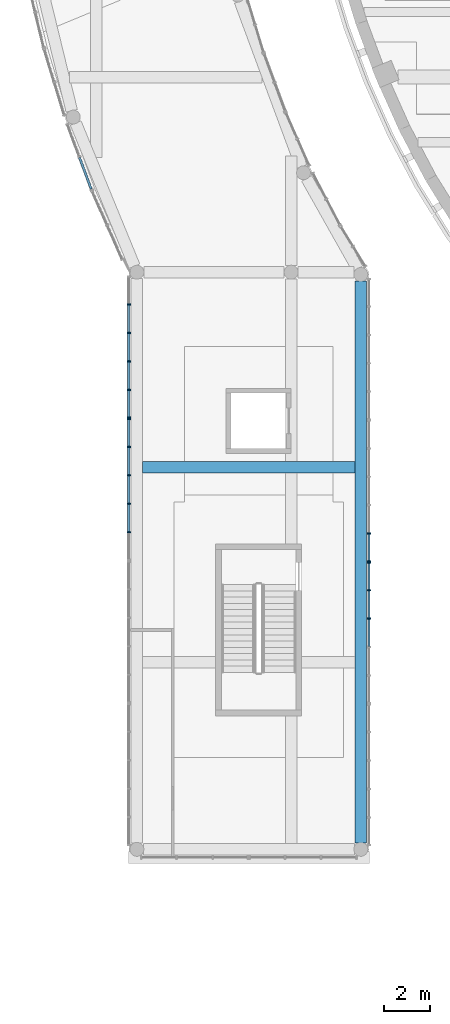
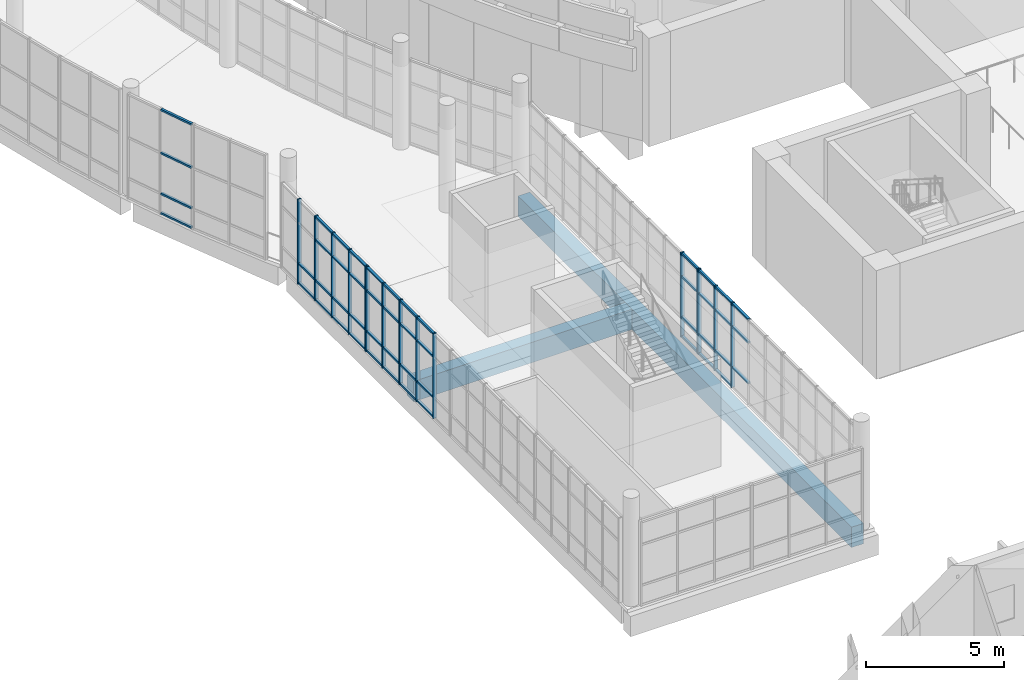
# One storey, part 7 of 119: 64 members, 2 beams, 5 elements without a shape of their own.
"""IFC4 building model written with IfcOpenShell, lengths in metres."""

from ifc_helpers import new_model, si_unit, direction, frame, origin, origin_2d, place, context, subcontext, project, spatial, rectangle, extrude, material, layer, layer_set, material_profile, profile_set, type_object, element, aggregate, save


model = new_model("IFC4")

# Units and contexts
model_context = context("Model", 3, precision=1e-05, world=origin(), true_north=direction((0.0, 1.0)))
body_context = subcontext(model_context, "Body", "Model", "MODEL_VIEW")
ifc_project = project(units=[si_unit("LENGTHUNIT", "METRE"), si_unit("AREAUNIT", "SQUARE_METRE"), si_unit("VOLUMEUNIT", "CUBIC_METRE"), si_unit("PLANEANGLEUNIT", "RADIAN"), si_unit("MASSUNIT", "GRAM", prefix="KILO")], contexts=[model_context])

# Site, building, storey
site_placement = place(None, origin())
site = spatial("IfcSite", under=ifc_project, at=site_placement, CompositionType="ELEMENT")
building_placement = place(site_placement, origin())
building = spatial("IfcBuilding", under=site, at=building_placement, Name="Larchfold Concert Hall", CompositionType="ELEMENT")
storey_placement = place(building_placement, frame((0.0, 0.0, 4.800048828125)))
storey = spatial("IfcBuildingStorey", under=building, at=storey_placement, Name="L01", CompositionType="ELEMENT", Elevation=4.800048828125)

# Curtain wall, members
ifc_material_1 = material(Name="Anodised graphite aluminium curtain wall", Category="aluminium")
ifc_layer = layer(ifc_material_1, 0.14990234375)
ifc_layer_set = layer_set([ifc_layer], Name="Anodised graphite aluminium curtain wall")
curtain_wall_type = type_object("IfcCurtainWallType", Name="Curtain wall WG", PredefinedType="NOTDEFINED", material=ifc_layer_set)
curtain_wall_1_placement = place(storey_placement, origin())
curtain_wall_1 = element("IfcCurtainWall", 1, at=curtain_wall_1_placement, inside=storey, type_object=curtain_wall_type, Name="Curtain wall CW0204", PredefinedType="NOTDEFINED")
ifc_material_2 = material(Name="Anodised graphite aluminium mullion", Category="aluminium")
ifc_material_profile_1 = material_profile(ifc_material_2, rectangle(XDim=0.14990234375, YDim=0.06005859375, at=origin_2d()))
ifc_profile_set_1 = profile_set([ifc_material_profile_1], Name="Anodised graphite aluminium mullion")
member_type_1 = type_object("IfcMemberType", Name="Aluminium mullion 60x150", PredefinedType="MULLION", material=ifc_profile_set_1)
member_1_placement = place(storey_placement, frame((10.408447265625, 58.0146484375, 0.0), z_axis=(0.0, 0.0, 1.0), x_axis=(1.0, 0.0, 0.0)))
member_1 = element("IfcMember", 2, at=member_1_placement, type_object=member_type_1, Name="CW0204 mullion 2", PredefinedType="MULLION", context=body_context, shape_type="SweptSolid", body=[
    extrude(rectangle(XDim=0.14990234375, YDim=0.06005859375, at=origin_2d()), origin(), (0.0, 0.0, 1.0), 3.75),
])
member_2_placement = place(storey_placement, frame((10.408447265625, 56.7880859375, 0.0), z_axis=(0.0, 0.0, 1.0), x_axis=(1.0, 0.0, 0.0)))
member_2 = element("IfcMember", 3, at=member_2_placement, type_object=member_type_1, Name="CW0204 mullion 3", PredefinedType="MULLION", context=body_context, shape_type="SweptSolid", body=[
    extrude(rectangle(XDim=0.14990234375, YDim=0.06005859375, at=origin_2d()), origin(), (0.0, 0.0, 1.0), 3.75),
])
member_3_placement = place(storey_placement, frame((10.408447265625, 55.561279296875, 0.0), z_axis=(0.0, 0.0, 1.0), x_axis=(1.0, 0.0, 0.0)))
member_3 = element("IfcMember", 4, at=member_3_placement, type_object=member_type_1, Name="CW0204 mullion 4", PredefinedType="MULLION", context=body_context, shape_type="SweptSolid", body=[
    extrude(rectangle(XDim=0.14990234375, YDim=0.06005859375, at=origin_2d()), origin(), (0.0, 0.0, 1.0), 3.75),
])
member_4_placement = place(storey_placement, frame((10.408447265625, 54.334716796875, 0.0), z_axis=(0.0, 0.0, 1.0), x_axis=(1.0, 0.0, 0.0)))
member_4 = element("IfcMember", 5, at=member_4_placement, type_object=member_type_1, Name="CW0204 mullion 5", PredefinedType="MULLION", context=body_context, shape_type="SweptSolid", body=[
    extrude(rectangle(XDim=0.14990234375, YDim=0.06005859375, at=origin_2d()), origin(), (0.0, 0.0, 1.0), 3.75),
])
member_5_placement = place(storey_placement, frame((10.408447265625, 53.13818359375, 0.0), z_axis=(0.0, 0.0, 1.0), x_axis=(1.0, 0.0, 0.0)))
member_5 = element("IfcMember", 6, at=member_5_placement, type_object=member_type_1, Name="CW0204 mullion 6", PredefinedType="MULLION", context=body_context, shape_type="SweptSolid", body=[
    extrude(rectangle(XDim=0.14990234375, YDim=0.06005859375, at=origin_2d()), origin(), (0.0, 0.0, 1.0), 3.75),
])

curtain_wall_2_placement = place(storey_placement, origin())
curtain_wall_2 = element("IfcCurtainWall", 7, at=curtain_wall_2_placement, inside=storey, type_object=curtain_wall_type, Name="Curtain wall CW0205", PredefinedType="NOTDEFINED")
member_6_placement = place(storey_placement, frame((10.408447265625, 53.078125, 0.0), z_axis=(0.0, 0.0, 1.0), x_axis=(1.0, 0.0, 0.0)))
member_6 = element("IfcMember", 8, at=member_6_placement, type_object=member_type_1, Name="CW0205 mullion 1", PredefinedType="MULLION", context=body_context, shape_type="SweptSolid", body=[
    extrude(rectangle(XDim=0.14990234375, YDim=0.06005859375, at=origin_2d()), origin(), (0.0, 0.0, 1.0), 3.75),
])
member_7_placement = place(storey_placement, frame((10.408447265625, 51.881591796875, 0.0), z_axis=(0.0, 0.0, 1.0), x_axis=(1.0, 0.0, 0.0)))
member_7 = element("IfcMember", 9, at=member_7_placement, type_object=member_type_1, Name="CW0205 mullion 2", PredefinedType="MULLION", context=body_context, shape_type="SweptSolid", body=[
    extrude(rectangle(XDim=0.14990234375, YDim=0.06005859375, at=origin_2d()), origin(), (0.0, 0.0, 1.0), 3.75),
])
member_8_placement = place(storey_placement, frame((10.408447265625, 50.655029296875, 0.0), z_axis=(0.0, 0.0, 1.0), x_axis=(1.0, 0.0, 0.0)))
member_8 = element("IfcMember", 10, at=member_8_placement, type_object=member_type_1, Name="CW0205 mullion 3", PredefinedType="MULLION", context=body_context, shape_type="SweptSolid", body=[
    extrude(rectangle(XDim=0.14990234375, YDim=0.06005859375, at=origin_2d()), origin(), (0.0, 0.0, 1.0), 3.75),
])
member_9_placement = place(storey_placement, frame((10.408447265625, 49.42822265625, 0.0), z_axis=(0.0, 0.0, 1.0), x_axis=(1.0, 0.0, 0.0)))
member_9 = element("IfcMember", 11, at=member_9_placement, type_object=member_type_1, Name="CW0205 mullion 4", PredefinedType="MULLION", context=body_context, shape_type="SweptSolid", body=[
    extrude(rectangle(XDim=0.14990234375, YDim=0.06005859375, at=origin_2d()), origin(), (0.0, 0.0, 1.0), 3.75),
])
member_10_placement = place(storey_placement, frame((10.408447265625, 48.20166015625, 0.0), z_axis=(0.0, 0.0, 1.0), x_axis=(1.0, 0.0, 0.0)))
member_10 = element("IfcMember", 12, at=member_10_placement, type_object=member_type_1, Name="CW0205 mullion 5", PredefinedType="MULLION", context=body_context, shape_type="SweptSolid", body=[
    extrude(rectangle(XDim=0.14990234375, YDim=0.06005859375, at=origin_2d()), origin(), (0.0, 0.0, 1.0), 3.75),
])

curtain_wall_3_placement = place(storey_placement, origin())
curtain_wall_3 = element("IfcCurtainWall", 13, at=curtain_wall_3_placement, inside=storey, type_object=curtain_wall_type, Name="Curtain wall CW0211", PredefinedType="NOTDEFINED")
member_11_placement = place(storey_placement, frame((20.748779296875, 44.482177734375, 0.0), z_axis=(0.0, 0.0, 1.0), x_axis=(-1.0, 0.0, 0.0)))
member_11 = element("IfcMember", 14, at=member_11_placement, type_object=member_type_1, Name="CW0211 mullion 4", PredefinedType="MULLION", context=body_context, shape_type="SweptSolid", body=[
    extrude(rectangle(XDim=0.14990234375, YDim=0.06005859375, at=origin_2d()), origin(), (0.0, 0.0, 1.0), 3.75),
])
member_12_placement = place(storey_placement, frame((20.748779296875, 45.703857421875, 0.0), z_axis=(0.0, 0.0, 1.0), x_axis=(-1.0, 0.0, 0.0)))
member_12 = element("IfcMember", 15, at=member_12_placement, type_object=member_type_1, Name="CW0211 mullion 5", PredefinedType="MULLION", context=body_context, shape_type="SweptSolid", body=[
    extrude(rectangle(XDim=0.14990234375, YDim=0.06005859375, at=origin_2d()), origin(), (0.0, 0.0, 1.0), 3.75),
])
member_13_placement = place(storey_placement, frame((20.748779296875, 46.8955078125, 0.0), z_axis=(0.0, 0.0, 1.0), x_axis=(-1.0, 0.0, 0.0)))
member_13 = element("IfcMember", 16, at=member_13_placement, type_object=member_type_1, Name="CW0211 mullion 6", PredefinedType="MULLION", context=body_context, shape_type="SweptSolid", body=[
    extrude(rectangle(XDim=0.14990234375, YDim=0.06005859375, at=origin_2d()), origin(), (0.0, 0.0, 1.0), 3.75),
])

curtain_wall_4_placement = place(storey_placement, origin())
curtain_wall_4 = element("IfcCurtainWall", 17, at=curtain_wall_4_placement, inside=storey, type_object=curtain_wall_type, Name="Curtain wall CW0212", PredefinedType="NOTDEFINED")
member_14_placement = place(storey_placement, frame((20.748779296875, 46.95556640625, 0.0), z_axis=(0.0, 0.0, 1.0), x_axis=(-1.0, 0.0, 0.0)))
member_14 = element("IfcMember", 18, at=member_14_placement, type_object=member_type_1, Name="CW0212 mullion 1", PredefinedType="MULLION", context=body_context, shape_type="SweptSolid", body=[
    extrude(rectangle(XDim=0.14990234375, YDim=0.06005859375, at=origin_2d()), origin(), (0.0, 0.0, 1.0), 3.75),
])
member_15_placement = place(storey_placement, frame((20.748779296875, 48.147216796875, 0.0), z_axis=(0.0, 0.0, 1.0), x_axis=(-1.0, 0.0, 0.0)))
member_15 = element("IfcMember", 19, at=member_15_placement, type_object=member_type_1, Name="CW0212 mullion 2", PredefinedType="MULLION", context=body_context, shape_type="SweptSolid", body=[
    extrude(rectangle(XDim=0.14990234375, YDim=0.06005859375, at=origin_2d()), origin(), (0.0, 0.0, 1.0), 3.75),
])

curtain_wall_5_placement = place(storey_placement, origin())
curtain_wall_5 = element("IfcCurtainWall", 20, at=curtain_wall_5_placement, inside=storey, type_object=curtain_wall_type, Name="Curtain wall CW0202", PredefinedType="NOTDEFINED")
ifc_material_3 = material(Name="Anodised graphite aluminium transom", Category="aluminium")
ifc_material_profile_2 = material_profile(ifc_material_3, rectangle(XDim=0.10009765625, YDim=0.080078125, at=origin_2d()))
ifc_profile_set_2 = profile_set([ifc_material_profile_2], Name="Anodised graphite aluminium transom")
member_type_2 = type_object("IfcMemberType", Name="Aluminium transom 80x100", PredefinedType="USERDEFINED", material=ifc_profile_set_2)
member_16_placement = place(storey_placement, frame((8.28857421875, 64.3359375, 0.0400390625), z_axis=(0.346643684981, -0.937996884676, 0.0), x_axis=(0.937996884676, 0.346643684981, 0.0)))
member_16 = element("IfcMember", 21, at=member_16_placement, type_object=member_type_2, Name="CW0202 transom 2.1", ObjectType="TRANSOM", PredefinedType="USERDEFINED", context=body_context, shape_type="SweptSolid", body=[
    extrude(rectangle(XDim=0.10009765625, YDim=0.080078125, at=origin_2d()), origin(), (0.0, 0.0, 1.0), 1.446533203125),
])
member_17_placement = place(storey_placement, frame((8.28857421875, 64.3359375, 0.89990234375), z_axis=(0.346643684981, -0.937996884676, 0.0), x_axis=(0.937996884676, 0.346643684981, 0.0)))
member_17 = element("IfcMember", 22, at=member_17_placement, type_object=member_type_2, Name="CW0202 transom 2.2", ObjectType="TRANSOM", PredefinedType="USERDEFINED", context=body_context, shape_type="SweptSolid", body=[
    extrude(rectangle(XDim=0.10009765625, YDim=0.080078125, at=origin_2d()), origin(), (0.0, 0.0, 1.0), 1.446533203125),
])
member_18_placement = place(storey_placement, frame((8.28857421875, 64.3359375, 2.699951171875), z_axis=(0.346643684981, -0.937996884676, 0.0), x_axis=(0.937996884676, 0.346643684981, 0.0)))
member_18 = element("IfcMember", 23, at=member_18_placement, type_object=member_type_2, Name="CW0202 transom 2.3", ObjectType="TRANSOM", PredefinedType="USERDEFINED", context=body_context, shape_type="SweptSolid", body=[
    extrude(rectangle(XDim=0.10009765625, YDim=0.080078125, at=origin_2d()), origin(), (0.0, 0.0, 1.0), 1.446533203125),
])
member_19_placement = place(storey_placement, frame((8.28857421875, 64.3359375, 4.60986328125), z_axis=(0.346643684981, -0.937996884676, 0.0), x_axis=(0.937996884676, 0.346643684981, 0.0)))
member_19 = element("IfcMember", 24, at=member_19_placement, type_object=member_type_2, Name="CW0202 transom 2.4", ObjectType="TRANSOM", PredefinedType="USERDEFINED", context=body_context, shape_type="SweptSolid", body=[
    extrude(rectangle(XDim=0.10009765625, YDim=0.080078125, at=origin_2d()), origin(), (0.0, 0.0, 1.0), 1.446533203125),
])
aggregate(curtain_wall_5, [member_16, member_17, member_18, member_19])

# Member
member_20_placement = place(storey_placement, frame((10.408447265625, 57.984619140625, 0.0400390625), z_axis=(0.0, -1.0, 0.0), x_axis=(1.0, 0.0, 0.0)))
member_20 = element("IfcMember", 25, at=member_20_placement, type_object=member_type_2, Name="CW0204 transom 2.1", ObjectType="TRANSOM", PredefinedType="USERDEFINED", context=body_context, shape_type="SweptSolid", body=[
    extrude(rectangle(XDim=0.10009765625, YDim=0.080078125, at=origin_2d()), origin(), (0.0, 0.0, 1.0), 1.166748046875),
])

member_21_placement = place(storey_placement, frame((10.408447265625, 57.984619140625, 0.89990234375), z_axis=(0.0, -1.0, 0.0), x_axis=(1.0, 0.0, 0.0)))
member_21 = element("IfcMember", 26, at=member_21_placement, type_object=member_type_2, Name="CW0204 transom 2.2", ObjectType="TRANSOM", PredefinedType="USERDEFINED", context=body_context, shape_type="SweptSolid", body=[
    extrude(rectangle(XDim=0.10009765625, YDim=0.080078125, at=origin_2d()), origin(), (0.0, 0.0, 1.0), 1.166748046875),
])

member_22_placement = place(storey_placement, frame((10.408447265625, 56.758056640625, 0.0400390625), z_axis=(0.0, -1.0, 0.0), x_axis=(1.0, 0.0, 0.0)))
member_22 = element("IfcMember", 27, at=member_22_placement, type_object=member_type_2, Name="CW0204 transom 3.1", ObjectType="TRANSOM", PredefinedType="USERDEFINED", context=body_context, shape_type="SweptSolid", body=[
    extrude(rectangle(XDim=0.10009765625, YDim=0.080078125, at=origin_2d()), origin(), (0.0, 0.0, 1.0), 1.166748046875),
])

member_23_placement = place(storey_placement, frame((10.408447265625, 56.758056640625, 0.89990234375), z_axis=(0.0, -1.0, 0.0), x_axis=(1.0, 0.0, 0.0)))
member_23 = element("IfcMember", 28, at=member_23_placement, type_object=member_type_2, Name="CW0204 transom 3.2", ObjectType="TRANSOM", PredefinedType="USERDEFINED", context=body_context, shape_type="SweptSolid", body=[
    extrude(rectangle(XDim=0.10009765625, YDim=0.080078125, at=origin_2d()), origin(), (0.0, 0.0, 1.0), 1.166748046875),
])

member_24_placement = place(storey_placement, frame((10.408447265625, 56.758056640625, 2.699951171875), z_axis=(0.0, -1.0, 0.0), x_axis=(1.0, 0.0, 0.0)))
member_24 = element("IfcMember", 29, at=member_24_placement, type_object=member_type_2, Name="CW0204 transom 3.3", ObjectType="TRANSOM", PredefinedType="USERDEFINED", context=body_context, shape_type="SweptSolid", body=[
    extrude(rectangle(XDim=0.10009765625, YDim=0.080078125, at=origin_2d()), origin(), (0.0, 0.0, 1.0), 1.166748046875),
])

member_25_placement = place(storey_placement, frame((10.408447265625, 56.758056640625, 3.7099609375), z_axis=(0.0, -1.0, 0.0), x_axis=(1.0, 0.0, 0.0)))
member_25 = element("IfcMember", 30, at=member_25_placement, type_object=member_type_2, Name="CW0204 transom 3.4", ObjectType="TRANSOM", PredefinedType="USERDEFINED", context=body_context, shape_type="SweptSolid", body=[
    extrude(rectangle(XDim=0.10009765625, YDim=0.080078125, at=origin_2d()), origin(), (0.0, 0.0, 1.0), 1.166748046875),
])

member_26_placement = place(storey_placement, frame((10.408447265625, 55.531494140625, 0.0400390625), z_axis=(0.0, -1.0, 0.0), x_axis=(1.0, 0.0, 0.0)))
member_26 = element("IfcMember", 31, at=member_26_placement, type_object=member_type_2, Name="CW0204 transom 4.1", ObjectType="TRANSOM", PredefinedType="USERDEFINED", context=body_context, shape_type="SweptSolid", body=[
    extrude(rectangle(XDim=0.10009765625, YDim=0.080078125, at=origin_2d()), origin(), (0.0, 0.0, 1.0), 1.166748046875),
])

member_27_placement = place(storey_placement, frame((10.408447265625, 55.531494140625, 0.89990234375), z_axis=(0.0, -1.0, 0.0), x_axis=(1.0, 0.0, 0.0)))
member_27 = element("IfcMember", 32, at=member_27_placement, type_object=member_type_2, Name="CW0204 transom 4.2", ObjectType="TRANSOM", PredefinedType="USERDEFINED", context=body_context, shape_type="SweptSolid", body=[
    extrude(rectangle(XDim=0.10009765625, YDim=0.080078125, at=origin_2d()), origin(), (0.0, 0.0, 1.0), 1.166748046875),
])

member_28_placement = place(storey_placement, frame((10.408447265625, 55.531494140625, 2.699951171875), z_axis=(0.0, -1.0, 0.0), x_axis=(1.0, 0.0, 0.0)))
member_28 = element("IfcMember", 33, at=member_28_placement, type_object=member_type_2, Name="CW0204 transom 4.3", ObjectType="TRANSOM", PredefinedType="USERDEFINED", context=body_context, shape_type="SweptSolid", body=[
    extrude(rectangle(XDim=0.10009765625, YDim=0.080078125, at=origin_2d()), origin(), (0.0, 0.0, 1.0), 1.166748046875),
])

member_29_placement = place(storey_placement, frame((10.408447265625, 55.531494140625, 3.7099609375), z_axis=(0.0, -1.0, 0.0), x_axis=(1.0, 0.0, 0.0)))
member_29 = element("IfcMember", 34, at=member_29_placement, type_object=member_type_2, Name="CW0204 transom 4.4", ObjectType="TRANSOM", PredefinedType="USERDEFINED", context=body_context, shape_type="SweptSolid", body=[
    extrude(rectangle(XDim=0.10009765625, YDim=0.080078125, at=origin_2d()), origin(), (0.0, 0.0, 1.0), 1.166748046875),
])

member_30_placement = place(storey_placement, frame((10.408447265625, 54.3046875, 0.0400390625), z_axis=(0.0, -1.0, 0.0), x_axis=(1.0, 0.0, 0.0)))
member_30 = element("IfcMember", 35, at=member_30_placement, type_object=member_type_2, Name="CW0204 transom 5.1", ObjectType="TRANSOM", PredefinedType="USERDEFINED", context=body_context, shape_type="SweptSolid", body=[
    extrude(rectangle(XDim=0.10009765625, YDim=0.080078125, at=origin_2d()), origin(), (0.0, 0.0, 1.0), 1.136474609375),
])

member_31_placement = place(storey_placement, frame((10.408447265625, 54.3046875, 0.89990234375), z_axis=(0.0, -1.0, 0.0), x_axis=(1.0, 0.0, 0.0)))
member_31 = element("IfcMember", 36, at=member_31_placement, type_object=member_type_2, Name="CW0204 transom 5.2", ObjectType="TRANSOM", PredefinedType="USERDEFINED", context=body_context, shape_type="SweptSolid", body=[
    extrude(rectangle(XDim=0.10009765625, YDim=0.080078125, at=origin_2d()), origin(), (0.0, 0.0, 1.0), 1.136474609375),
])

member_32_placement = place(storey_placement, frame((10.408447265625, 54.3046875, 2.699951171875), z_axis=(0.0, -1.0, 0.0), x_axis=(1.0, 0.0, 0.0)))
member_32 = element("IfcMember", 37, at=member_32_placement, type_object=member_type_2, Name="CW0204 transom 5.3", ObjectType="TRANSOM", PredefinedType="USERDEFINED", context=body_context, shape_type="SweptSolid", body=[
    extrude(rectangle(XDim=0.10009765625, YDim=0.080078125, at=origin_2d()), origin(), (0.0, 0.0, 1.0), 1.136474609375),
])

member_33_placement = place(storey_placement, frame((10.408447265625, 54.3046875, 3.7099609375), z_axis=(0.0, -1.0, 0.0), x_axis=(1.0, 0.0, 0.0)))
member_33 = element("IfcMember", 38, at=member_33_placement, type_object=member_type_2, Name="CW0204 transom 5.4", ObjectType="TRANSOM", PredefinedType="USERDEFINED", context=body_context, shape_type="SweptSolid", body=[
    extrude(rectangle(XDim=0.10009765625, YDim=0.080078125, at=origin_2d()), origin(), (0.0, 0.0, 1.0), 1.136474609375),
])

aggregate(curtain_wall_1, [member_1, member_2, member_3, member_4, member_5, member_20, member_21, member_22, member_23, member_24, member_25, member_26, member_27, member_28, member_29, member_30, member_31, member_32, member_33])

member_34_placement = place(storey_placement, frame((10.408447265625, 53.048095703125, 0.0400390625), z_axis=(0.0, -1.0, 0.0), x_axis=(1.0, 0.0, 0.0)))
member_34 = element("IfcMember", 39, at=member_34_placement, type_object=member_type_2, Name="CW0205 transom 1.1", ObjectType="TRANSOM", PredefinedType="USERDEFINED", context=body_context, shape_type="SweptSolid", body=[
    extrude(rectangle(XDim=0.10009765625, YDim=0.080078125, at=origin_2d()), origin(), (0.0, 0.0, 1.0), 1.136474609375),
])

member_35_placement = place(storey_placement, frame((10.408447265625, 53.048095703125, 0.89990234375), z_axis=(0.0, -1.0, 0.0), x_axis=(1.0, 0.0, 0.0)))
member_35 = element("IfcMember", 40, at=member_35_placement, type_object=member_type_2, Name="CW0205 transom 1.2", ObjectType="TRANSOM", PredefinedType="USERDEFINED", context=body_context, shape_type="SweptSolid", body=[
    extrude(rectangle(XDim=0.10009765625, YDim=0.080078125, at=origin_2d()), origin(), (0.0, 0.0, 1.0), 1.136474609375),
])

member_36_placement = place(storey_placement, frame((10.408447265625, 53.048095703125, 2.699951171875), z_axis=(0.0, -1.0, 0.0), x_axis=(1.0, 0.0, 0.0)))
member_36 = element("IfcMember", 41, at=member_36_placement, type_object=member_type_2, Name="CW0205 transom 1.3", ObjectType="TRANSOM", PredefinedType="USERDEFINED", context=body_context, shape_type="SweptSolid", body=[
    extrude(rectangle(XDim=0.10009765625, YDim=0.080078125, at=origin_2d()), origin(), (0.0, 0.0, 1.0), 1.136474609375),
])

member_37_placement = place(storey_placement, frame((10.408447265625, 53.048095703125, 3.7099609375), z_axis=(0.0, -1.0, 0.0), x_axis=(1.0, 0.0, 0.0)))
member_37 = element("IfcMember", 42, at=member_37_placement, type_object=member_type_2, Name="CW0205 transom 1.4", ObjectType="TRANSOM", PredefinedType="USERDEFINED", context=body_context, shape_type="SweptSolid", body=[
    extrude(rectangle(XDim=0.10009765625, YDim=0.080078125, at=origin_2d()), origin(), (0.0, 0.0, 1.0), 1.136474609375),
])

member_38_placement = place(storey_placement, frame((10.408447265625, 51.8515625, 0.0400390625), z_axis=(0.0, -1.0, 0.0), x_axis=(1.0, 0.0, 0.0)))
member_38 = element("IfcMember", 43, at=member_38_placement, type_object=member_type_2, Name="CW0205 transom 2.1", ObjectType="TRANSOM", PredefinedType="USERDEFINED", context=body_context, shape_type="SweptSolid", body=[
    extrude(rectangle(XDim=0.10009765625, YDim=0.080078125, at=origin_2d()), origin(), (0.0, 0.0, 1.0), 1.166748046875),
])

member_39_placement = place(storey_placement, frame((10.408447265625, 51.8515625, 0.89990234375), z_axis=(0.0, -1.0, 0.0), x_axis=(1.0, 0.0, 0.0)))
member_39 = element("IfcMember", 44, at=member_39_placement, type_object=member_type_2, Name="CW0205 transom 2.2", ObjectType="TRANSOM", PredefinedType="USERDEFINED", context=body_context, shape_type="SweptSolid", body=[
    extrude(rectangle(XDim=0.10009765625, YDim=0.080078125, at=origin_2d()), origin(), (0.0, 0.0, 1.0), 1.166748046875),
])

member_40_placement = place(storey_placement, frame((10.408447265625, 51.8515625, 2.699951171875), z_axis=(0.0, -1.0, 0.0), x_axis=(1.0, 0.0, 0.0)))
member_40 = element("IfcMember", 45, at=member_40_placement, type_object=member_type_2, Name="CW0205 transom 2.3", ObjectType="TRANSOM", PredefinedType="USERDEFINED", context=body_context, shape_type="SweptSolid", body=[
    extrude(rectangle(XDim=0.10009765625, YDim=0.080078125, at=origin_2d()), origin(), (0.0, 0.0, 1.0), 1.166748046875),
])

member_41_placement = place(storey_placement, frame((10.408447265625, 51.8515625, 3.7099609375), z_axis=(0.0, -1.0, 0.0), x_axis=(1.0, 0.0, 0.0)))
member_41 = element("IfcMember", 46, at=member_41_placement, type_object=member_type_2, Name="CW0205 transom 2.4", ObjectType="TRANSOM", PredefinedType="USERDEFINED", context=body_context, shape_type="SweptSolid", body=[
    extrude(rectangle(XDim=0.10009765625, YDim=0.080078125, at=origin_2d()), origin(), (0.0, 0.0, 1.0), 1.166748046875),
])

member_42_placement = place(storey_placement, frame((10.408447265625, 50.625, 0.0400390625), z_axis=(0.0, -1.0, 0.0), x_axis=(1.0, 0.0, 0.0)))
member_42 = element("IfcMember", 47, at=member_42_placement, type_object=member_type_2, Name="CW0205 transom 3.1", ObjectType="TRANSOM", PredefinedType="USERDEFINED", context=body_context, shape_type="SweptSolid", body=[
    extrude(rectangle(XDim=0.10009765625, YDim=0.080078125, at=origin_2d()), origin(), (0.0, 0.0, 1.0), 1.166748046875),
])

member_43_placement = place(storey_placement, frame((10.408447265625, 50.625, 0.89990234375), z_axis=(0.0, -1.0, 0.0), x_axis=(1.0, 0.0, 0.0)))
member_43 = element("IfcMember", 48, at=member_43_placement, type_object=member_type_2, Name="CW0205 transom 3.2", ObjectType="TRANSOM", PredefinedType="USERDEFINED", context=body_context, shape_type="SweptSolid", body=[
    extrude(rectangle(XDim=0.10009765625, YDim=0.080078125, at=origin_2d()), origin(), (0.0, 0.0, 1.0), 1.166748046875),
])

member_44_placement = place(storey_placement, frame((10.408447265625, 50.625, 2.699951171875), z_axis=(0.0, -1.0, 0.0), x_axis=(1.0, 0.0, 0.0)))
member_44 = element("IfcMember", 49, at=member_44_placement, type_object=member_type_2, Name="CW0205 transom 3.3", ObjectType="TRANSOM", PredefinedType="USERDEFINED", context=body_context, shape_type="SweptSolid", body=[
    extrude(rectangle(XDim=0.10009765625, YDim=0.080078125, at=origin_2d()), origin(), (0.0, 0.0, 1.0), 1.166748046875),
])

member_45_placement = place(storey_placement, frame((10.408447265625, 50.625, 3.7099609375), z_axis=(0.0, -1.0, 0.0), x_axis=(1.0, 0.0, 0.0)))
member_45 = element("IfcMember", 50, at=member_45_placement, type_object=member_type_2, Name="CW0205 transom 3.4", ObjectType="TRANSOM", PredefinedType="USERDEFINED", context=body_context, shape_type="SweptSolid", body=[
    extrude(rectangle(XDim=0.10009765625, YDim=0.080078125, at=origin_2d()), origin(), (0.0, 0.0, 1.0), 1.166748046875),
])

member_46_placement = place(storey_placement, frame((10.408447265625, 49.3984375, 0.0400390625), z_axis=(0.0, -1.0, 0.0), x_axis=(1.0, 0.0, 0.0)))
member_46 = element("IfcMember", 51, at=member_46_placement, type_object=member_type_2, Name="CW0205 transom 4.1", ObjectType="TRANSOM", PredefinedType="USERDEFINED", context=body_context, shape_type="SweptSolid", body=[
    extrude(rectangle(XDim=0.10009765625, YDim=0.080078125, at=origin_2d()), origin(), (0.0, 0.0, 1.0), 1.166748046875),
])

member_47_placement = place(storey_placement, frame((10.408447265625, 49.3984375, 0.89990234375), z_axis=(0.0, -1.0, 0.0), x_axis=(1.0, 0.0, 0.0)))
member_47 = element("IfcMember", 52, at=member_47_placement, type_object=member_type_2, Name="CW0205 transom 4.2", ObjectType="TRANSOM", PredefinedType="USERDEFINED", context=body_context, shape_type="SweptSolid", body=[
    extrude(rectangle(XDim=0.10009765625, YDim=0.080078125, at=origin_2d()), origin(), (0.0, 0.0, 1.0), 1.166748046875),
])

member_48_placement = place(storey_placement, frame((10.408447265625, 49.3984375, 2.699951171875), z_axis=(0.0, -1.0, 0.0), x_axis=(1.0, 0.0, 0.0)))
member_48 = element("IfcMember", 53, at=member_48_placement, type_object=member_type_2, Name="CW0205 transom 4.3", ObjectType="TRANSOM", PredefinedType="USERDEFINED", context=body_context, shape_type="SweptSolid", body=[
    extrude(rectangle(XDim=0.10009765625, YDim=0.080078125, at=origin_2d()), origin(), (0.0, 0.0, 1.0), 1.166748046875),
])

member_49_placement = place(storey_placement, frame((10.408447265625, 49.3984375, 3.7099609375), z_axis=(0.0, -1.0, 0.0), x_axis=(1.0, 0.0, 0.0)))
member_49 = element("IfcMember", 54, at=member_49_placement, type_object=member_type_2, Name="CW0205 transom 4.4", ObjectType="TRANSOM", PredefinedType="USERDEFINED", context=body_context, shape_type="SweptSolid", body=[
    extrude(rectangle(XDim=0.10009765625, YDim=0.080078125, at=origin_2d()), origin(), (0.0, 0.0, 1.0), 1.166748046875),
])

aggregate(curtain_wall_2, [member_6, member_7, member_8, member_9, member_10, member_34, member_35, member_36, member_37, member_38, member_39, member_40, member_41, member_42, member_43, member_44, member_45, member_46, member_47, member_48, member_49])

member_50_placement = place(storey_placement, frame((20.748779296875, 43.290283203125, 0.89990234375), z_axis=(0.0, 1.0, 0.0), x_axis=(-1.0, 0.0, 0.0)))
member_50 = element("IfcMember", 55, at=member_50_placement, type_object=member_type_2, Name="CW0211 transom 3.2", ObjectType="TRANSOM", PredefinedType="USERDEFINED", context=body_context, shape_type="SweptSolid", body=[
    extrude(rectangle(XDim=0.10009765625, YDim=0.080078125, at=origin_2d()), origin(), (0.0, 0.0, 1.0), 1.161865234375),
])

member_51_placement = place(storey_placement, frame((20.748779296875, 43.290283203125, 2.699951171875), z_axis=(0.0, 1.0, 0.0), x_axis=(-1.0, 0.0, 0.0)))
member_51 = element("IfcMember", 56, at=member_51_placement, type_object=member_type_2, Name="CW0211 transom 3.3", ObjectType="TRANSOM", PredefinedType="USERDEFINED", context=body_context, shape_type="SweptSolid", body=[
    extrude(rectangle(XDim=0.10009765625, YDim=0.080078125, at=origin_2d()), origin(), (0.0, 0.0, 1.0), 1.161865234375),
])

member_52_placement = place(storey_placement, frame((20.748779296875, 43.290283203125, 3.7099609375), z_axis=(0.0, 1.0, 0.0), x_axis=(-1.0, 0.0, 0.0)))
member_52 = element("IfcMember", 57, at=member_52_placement, type_object=member_type_2, Name="CW0211 transom 3.4", ObjectType="TRANSOM", PredefinedType="USERDEFINED", context=body_context, shape_type="SweptSolid", body=[
    extrude(rectangle(XDim=0.10009765625, YDim=0.080078125, at=origin_2d()), origin(), (0.0, 0.0, 1.0), 1.161865234375),
])

member_53_placement = place(storey_placement, frame((20.748779296875, 44.511962890625, 0.0400390625), z_axis=(0.0, 1.0, 0.0), x_axis=(-1.0, 0.0, 0.0)))
member_53 = element("IfcMember", 58, at=member_53_placement, type_object=member_type_2, Name="CW0211 transom 4.1", ObjectType="TRANSOM", PredefinedType="USERDEFINED", context=body_context, shape_type="SweptSolid", body=[
    extrude(rectangle(XDim=0.10009765625, YDim=0.080078125, at=origin_2d()), origin(), (0.0, 0.0, 1.0), 1.161865234375),
])

member_54_placement = place(storey_placement, frame((20.748779296875, 44.511962890625, 0.89990234375), z_axis=(0.0, 1.0, 0.0), x_axis=(-1.0, 0.0, 0.0)))
member_54 = element("IfcMember", 59, at=member_54_placement, type_object=member_type_2, Name="CW0211 transom 4.2", ObjectType="TRANSOM", PredefinedType="USERDEFINED", context=body_context, shape_type="SweptSolid", body=[
    extrude(rectangle(XDim=0.10009765625, YDim=0.080078125, at=origin_2d()), origin(), (0.0, 0.0, 1.0), 1.161865234375),
])

member_55_placement = place(storey_placement, frame((20.748779296875, 44.511962890625, 2.699951171875), z_axis=(0.0, 1.0, 0.0), x_axis=(-1.0, 0.0, 0.0)))
member_55 = element("IfcMember", 60, at=member_55_placement, type_object=member_type_2, Name="CW0211 transom 4.3", ObjectType="TRANSOM", PredefinedType="USERDEFINED", context=body_context, shape_type="SweptSolid", body=[
    extrude(rectangle(XDim=0.10009765625, YDim=0.080078125, at=origin_2d()), origin(), (0.0, 0.0, 1.0), 1.161865234375),
])

member_56_placement = place(storey_placement, frame((20.748779296875, 44.511962890625, 3.7099609375), z_axis=(0.0, 1.0, 0.0), x_axis=(-1.0, 0.0, 0.0)))
member_56 = element("IfcMember", 61, at=member_56_placement, type_object=member_type_2, Name="CW0211 transom 4.4", ObjectType="TRANSOM", PredefinedType="USERDEFINED", context=body_context, shape_type="SweptSolid", body=[
    extrude(rectangle(XDim=0.10009765625, YDim=0.080078125, at=origin_2d()), origin(), (0.0, 0.0, 1.0), 1.161865234375),
])

member_57_placement = place(storey_placement, frame((20.748779296875, 45.73388671875, 0.0400390625), z_axis=(0.0, 1.0, 0.0), x_axis=(-1.0, 0.0, 0.0)))
member_57 = element("IfcMember", 62, at=member_57_placement, type_object=member_type_2, Name="CW0211 transom 5.1", ObjectType="TRANSOM", PredefinedType="USERDEFINED", context=body_context, shape_type="SweptSolid", body=[
    extrude(rectangle(XDim=0.10009765625, YDim=0.080078125, at=origin_2d()), origin(), (0.0, 0.0, 1.0), 1.131591796875),
])

member_58_placement = place(storey_placement, frame((20.748779296875, 45.73388671875, 0.89990234375), z_axis=(0.0, 1.0, 0.0), x_axis=(-1.0, 0.0, 0.0)))
member_58 = element("IfcMember", 63, at=member_58_placement, type_object=member_type_2, Name="CW0211 transom 5.2", ObjectType="TRANSOM", PredefinedType="USERDEFINED", context=body_context, shape_type="SweptSolid", body=[
    extrude(rectangle(XDim=0.10009765625, YDim=0.080078125, at=origin_2d()), origin(), (0.0, 0.0, 1.0), 1.131591796875),
])

member_59_placement = place(storey_placement, frame((20.748779296875, 45.73388671875, 2.699951171875), z_axis=(0.0, 1.0, 0.0), x_axis=(-1.0, 0.0, 0.0)))
member_59 = element("IfcMember", 64, at=member_59_placement, type_object=member_type_2, Name="CW0211 transom 5.3", ObjectType="TRANSOM", PredefinedType="USERDEFINED", context=body_context, shape_type="SweptSolid", body=[
    extrude(rectangle(XDim=0.10009765625, YDim=0.080078125, at=origin_2d()), origin(), (0.0, 0.0, 1.0), 1.131591796875),
])

member_60_placement = place(storey_placement, frame((20.748779296875, 45.73388671875, 3.7099609375), z_axis=(0.0, 1.0, 0.0), x_axis=(-1.0, 0.0, 0.0)))
member_60 = element("IfcMember", 65, at=member_60_placement, type_object=member_type_2, Name="CW0211 transom 5.4", ObjectType="TRANSOM", PredefinedType="USERDEFINED", context=body_context, shape_type="SweptSolid", body=[
    extrude(rectangle(XDim=0.10009765625, YDim=0.080078125, at=origin_2d()), origin(), (0.0, 0.0, 1.0), 1.131591796875),
])

aggregate(curtain_wall_3, [member_11, member_12, member_13, member_50, member_51, member_52, member_53, member_54, member_55, member_56, member_57, member_58, member_59, member_60])

member_61_placement = place(storey_placement, frame((20.748779296875, 46.985595703125, 0.0400390625), z_axis=(0.0, 1.0, 0.0), x_axis=(-1.0, 0.0, 0.0)))
member_61 = element("IfcMember", 66, at=member_61_placement, type_object=member_type_2, Name="CW0212 transom 1.1", ObjectType="TRANSOM", PredefinedType="USERDEFINED", context=body_context, shape_type="SweptSolid", body=[
    extrude(rectangle(XDim=0.10009765625, YDim=0.080078125, at=origin_2d()), origin(), (0.0, 0.0, 1.0), 1.131591796875),
])

member_62_placement = place(storey_placement, frame((20.748779296875, 46.985595703125, 0.89990234375), z_axis=(0.0, 1.0, 0.0), x_axis=(-1.0, 0.0, 0.0)))
member_62 = element("IfcMember", 67, at=member_62_placement, type_object=member_type_2, Name="CW0212 transom 1.2", ObjectType="TRANSOM", PredefinedType="USERDEFINED", context=body_context, shape_type="SweptSolid", body=[
    extrude(rectangle(XDim=0.10009765625, YDim=0.080078125, at=origin_2d()), origin(), (0.0, 0.0, 1.0), 1.131591796875),
])

member_63_placement = place(storey_placement, frame((20.748779296875, 46.985595703125, 2.699951171875), z_axis=(0.0, 1.0, 0.0), x_axis=(-1.0, 0.0, 0.0)))
member_63 = element("IfcMember", 68, at=member_63_placement, type_object=member_type_2, Name="CW0212 transom 1.3", ObjectType="TRANSOM", PredefinedType="USERDEFINED", context=body_context, shape_type="SweptSolid", body=[
    extrude(rectangle(XDim=0.10009765625, YDim=0.080078125, at=origin_2d()), origin(), (0.0, 0.0, 1.0), 1.131591796875),
])

member_64_placement = place(storey_placement, frame((20.748779296875, 46.985595703125, 3.7099609375), z_axis=(0.0, 1.0, 0.0), x_axis=(-1.0, 0.0, 0.0)))
member_64 = element("IfcMember", 69, at=member_64_placement, type_object=member_type_2, Name="CW0212 transom 1.4", ObjectType="TRANSOM", PredefinedType="USERDEFINED", context=body_context, shape_type="SweptSolid", body=[
    extrude(rectangle(XDim=0.10009765625, YDim=0.080078125, at=origin_2d()), origin(), (0.0, 0.0, 1.0), 1.131591796875),
])

aggregate(curtain_wall_4, [member_14, member_15, member_61, member_62, member_63, member_64])

# Beams
ifc_material_4 = material(Name="Concrete C35/45", Category="concrete")
ifc_material_profile_3 = material_profile(ifc_material_4, rectangle(XDim=0.5, YDim=0.89990234375, at=origin_2d()))
ifc_profile_set_3 = profile_set([ifc_material_profile_3], Name="Concrete C35/45")
beam_type = type_object("IfcBeamType", Name="Beam RC 500x900", PredefinedType="BEAM", material=ifc_profile_set_3)
beam_1_placement = place(storey_placement, frame((20.39892578125, 59.02099609375, -0.60009765625), z_axis=(0.0, -1.0, 0.0), x_axis=(1.0, 0.0, 0.0)))
element("IfcBeam", 70, at=beam_1_placement, inside=storey, type_object=beam_type, Name="Beam B1866", PredefinedType="BEAM", context=body_context, shape_type="SweptSolid", body=[
    extrude(rectangle(XDim=0.5, YDim=0.89990234375, at=origin_2d()), origin(), (0.0, 0.0, 1.0), 24.19091796875),
])
beam_2_placement = place(storey_placement, frame((11.008056640625, 51.0, -0.60009765625), z_axis=(1.0, 0.0, 0.0), x_axis=(0.0, 1.0, 0.0)))
element("IfcBeam", 71, at=beam_2_placement, inside=storey, type_object=beam_type, Name="Beam B1916", PredefinedType="BEAM", context=body_context, shape_type="SweptSolid", body=[
    extrude(rectangle(XDim=0.5, YDim=0.89990234375, at=origin_2d()), origin(), (0.0, 0.0, 1.0), 9.140869140625),
])

save(model, "model.ifc")
